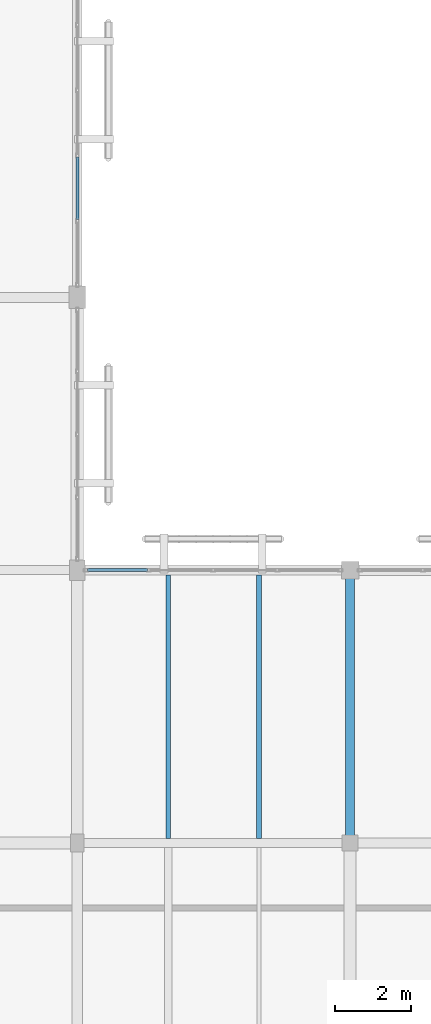
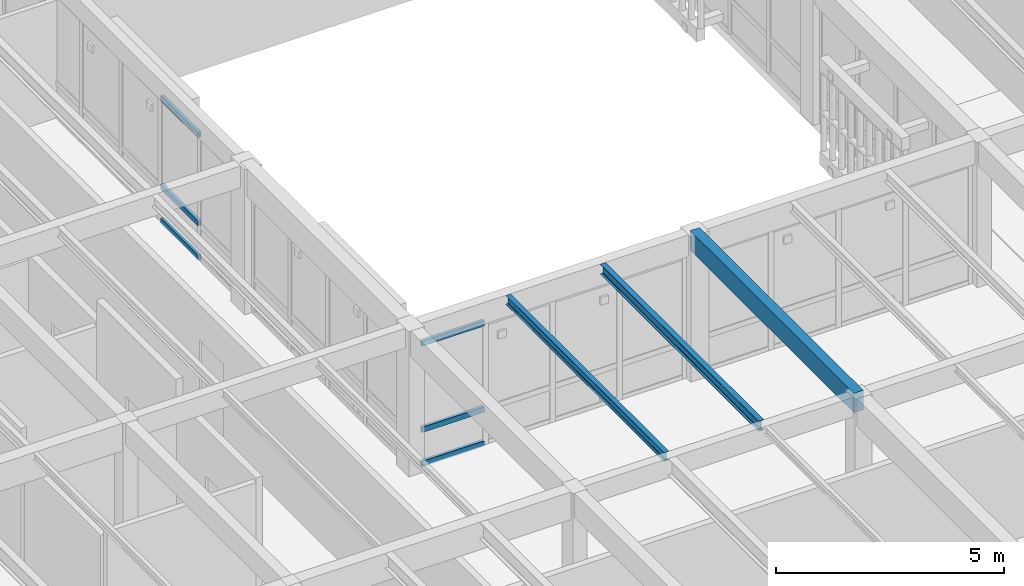
# One storey, part 26 of 217: 6 members, 3 beams, 2 elements without a shape of their own.
"""IFC4 building model written with IfcOpenShell, lengths in metres."""

from ifc_helpers import new_model, si_unit, direction, frame, origin, origin_2d, place, context, subcontext, project, spatial, rectangle, hollow_rectangle, i_section, extrude, material, layer, layer_set, material_profile, profile_set, type_object, element, aggregate, save


model = new_model("IFC4")

# Units and contexts
model_context = context("Model", 3, precision=1e-05, world=origin(), true_north=direction((0.0, 1.0)))
body_context = subcontext(model_context, "Body", "Model", "MODEL_VIEW")
ifc_project = project(units=[si_unit("LENGTHUNIT", "METRE"), si_unit("AREAUNIT", "SQUARE_METRE"), si_unit("VOLUMEUNIT", "CUBIC_METRE"), si_unit("PLANEANGLEUNIT", "RADIAN"), si_unit("MASSUNIT", "GRAM", prefix="KILO")], contexts=[model_context])

# Site, building, storey
site_placement = place(None, origin())
site = spatial("IfcSite", under=ifc_project, at=site_placement, CompositionType="ELEMENT")
building_placement = place(site_placement, origin())
building = spatial("IfcBuilding", under=site, at=building_placement, Name="Mazaris Harbour Polytechnic", CompositionType="ELEMENT")
storey_placement = place(building_placement, frame((0.0, 0.0, 9.60009765625)))
storey = spatial("IfcBuildingStorey", under=building, at=storey_placement, Name="L02", CompositionType="ELEMENT", Elevation=9.60009765625)

# Curtain wall, members
ifc_material_1 = material(Name="Anodised Bronze Aluminium and Low-E Glass", Category="aluminium")
ifc_layer = layer(ifc_material_1, 0.159912109375, Name="Anodised Bronze Aluminium and Low-E Glass")
ifc_layer_set = layer_set([ifc_layer], Name="Anodised Bronze Aluminium and Low-E Glass")
curtain_wall_type = type_object("IfcCurtainWallType", Name="Cloister Court Curtain Wall", PredefinedType="NOTDEFINED", material=ifc_layer_set)
curtain_wall_1_placement = place(storey_placement, origin())
curtain_wall_1 = element("IfcCurtainWall", 1, at=curtain_wall_1_placement, inside=storey, type_object=curtain_wall_type, Name="V4 L02 Curtain Wall 133", PredefinedType="NOTDEFINED")
ifc_material_2 = material(Name="Anodised Bronze Steel S355", Category="steel")
ifc_material_profile_1 = material_profile(ifc_material_2, hollow_rectangle(XDim=0.080078125, YDim=0.139892578125, WallThickness=0.00634765625, at=origin_2d()), Name="RHS 80x140x6.3")
ifc_profile_set_1 = profile_set([ifc_material_profile_1], Name="Anodised Bronze Steel S355")
member_type = type_object("IfcMemberType", Name="Curtain Transom RHS80x140", PredefinedType="USERDEFINED", material=ifc_profile_set_1)
member_1_placement = place(storey_placement, frame((14.672119140625, 36.0, 0.039794921875), z_axis=(1.0, 0.0, 0.0), x_axis=(0.0, 1.0, 0.0)))
member_1 = element("IfcMember", 2, at=member_1_placement, type_object=member_type, Name="CW-02 transom 1.1", ObjectType="TRANSOM", PredefinedType="USERDEFINED", context=body_context, shape_type="SweptSolid", body=[
    extrude(hollow_rectangle(XDim=0.080078125, YDim=0.139892578125, WallThickness=0.00634765625, at=origin_2d()), origin(), (0.0, 0.0, 1.0), 1.576416015625),
])
member_2_placement = place(storey_placement, frame((14.672119140625, 36.0, 0.949951171875), z_axis=(1.0, 0.0, 0.0), x_axis=(0.0, 1.0, 0.0)))
member_2 = element("IfcMember", 3, at=member_2_placement, type_object=member_type, Name="CW-02 transom 1.2", ObjectType="TRANSOM", PredefinedType="USERDEFINED", context=body_context, shape_type="SweptSolid", body=[
    extrude(hollow_rectangle(XDim=0.080078125, YDim=0.139892578125, WallThickness=0.00634765625, at=origin_2d()), origin(), (0.0, 0.0, 1.0), 1.576416015625),
])
member_3_placement = place(storey_placement, frame((14.672119140625, 36.0, 3.260009765625), z_axis=(1.0, 0.0, 0.0), x_axis=(0.0, 1.0, 0.0)))
member_3 = element("IfcMember", 4, at=member_3_placement, type_object=member_type, Name="CW-02 transom 1.3", ObjectType="TRANSOM", PredefinedType="USERDEFINED", context=body_context, shape_type="SweptSolid", body=[
    extrude(hollow_rectangle(XDim=0.080078125, YDim=0.139892578125, WallThickness=0.00634765625, at=origin_2d()), origin(), (0.0, 0.0, 1.0), 1.576416015625),
])
aggregate(curtain_wall_1, [member_1, member_2, member_3])

curtain_wall_2_placement = place(storey_placement, origin())
curtain_wall_2 = element("IfcCurtainWall", 5, at=curtain_wall_2_placement, inside=storey, type_object=curtain_wall_type, Name="V4 L02 Curtain Wall 138", PredefinedType="NOTDEFINED")
member_4_placement = place(storey_placement, frame((14.39990234375, 45.25634765625, 0.039794921875), z_axis=(0.0, 1.0, 0.0), x_axis=(-1.0, 0.0, 0.0)))
member_4 = element("IfcMember", 6, at=member_4_placement, type_object=member_type, Name="CW-02 transom 2.1", ObjectType="TRANSOM", PredefinedType="USERDEFINED", context=body_context, shape_type="SweptSolid", body=[
    extrude(hollow_rectangle(XDim=0.080078125, YDim=0.139892578125, WallThickness=0.00634765625, at=origin_2d()), origin(), (0.0, 0.0, 1.0), 1.644287109375),
])
member_5_placement = place(storey_placement, frame((14.39990234375, 45.25634765625, 0.949951171875), z_axis=(0.0, 1.0, 0.0), x_axis=(-1.0, 0.0, 0.0)))
member_5 = element("IfcMember", 7, at=member_5_placement, type_object=member_type, Name="CW-02 transom 2.2", ObjectType="TRANSOM", PredefinedType="USERDEFINED", context=body_context, shape_type="SweptSolid", body=[
    extrude(hollow_rectangle(XDim=0.080078125, YDim=0.139892578125, WallThickness=0.00634765625, at=origin_2d()), origin(), (0.0, 0.0, 1.0), 1.644287109375),
])
member_6_placement = place(storey_placement, frame((14.39990234375, 45.25634765625, 3.31982421875), z_axis=(0.0, 1.0, 0.0), x_axis=(-1.0, 0.0, 0.0)))
member_6 = element("IfcMember", 8, at=member_6_placement, type_object=member_type, Name="CW-02 transom 2.3", ObjectType="TRANSOM", PredefinedType="USERDEFINED", context=body_context, shape_type="SweptSolid", body=[
    extrude(hollow_rectangle(XDim=0.080078125, YDim=0.139892578125, WallThickness=0.00634765625, at=origin_2d()), origin(), (0.0, 0.0, 1.0), 1.644287109375),
])
aggregate(curtain_wall_2, [member_4, member_5, member_6])

# Beams
ifc_material_3 = material(Name="Glulam GL32h", Category="wood")
ifc_material_profile_2 = material_profile(ifc_material_3, rectangle(XDim=0.239990234375, YDim=0.52001953125, at=origin_2d()), Name="RECT240x520")
ifc_profile_set_2 = profile_set([ifc_material_profile_2], Name="Glulam GL32h")
beam_type_1 = type_object("IfcBeamType", Name="Glulam Girder 240x520", PredefinedType="BEAM", material=ifc_profile_set_2)
beam_1_placement = place(storey_placement, frame((21.60009765625, 28.800048828125, 3.6298828125), z_axis=(0.0, 1.0, 0.0), x_axis=(-1.0, 0.0, 0.0)))
element("IfcBeam", 9, at=beam_1_placement, inside=storey, type_object=beam_type_1, Name="V4 L02 Tie Girder 2005", PredefinedType="BEAM", context=body_context, shape_type="SweptSolid", body=[
    extrude(rectangle(XDim=0.239990234375, YDim=0.52001953125, at=origin_2d()), origin(), (0.0, 0.0, 1.0), 7.199951171875),
])
ifc_material_4 = material(Name="Steel S355", Category="steel")
ifc_material_profile_3 = material_profile(ifc_material_4, i_section(OverallWidth=0.1201171875, OverallDepth=0.239990234375, WebThickness=0.006103515625, FlangeThickness=0.009765625, FilletRadius=0.014892578125, at=origin_2d()), Name="IPE 240")
ifc_profile_set_3 = profile_set([ifc_material_profile_3], Name="Steel S355")
beam_type_2 = type_object("IfcBeamType", Name="Steel Joist IPE240", PredefinedType="JOIST", material=ifc_profile_set_3)
beam_2_placement = place(storey_placement, frame((16.800048828125, 28.919921875, 3.77001953125), z_axis=(0.0, 1.0, 0.0), x_axis=(-1.0, 0.0, 0.0)))
element("IfcBeam", 10, at=beam_2_placement, inside=storey, type_object=beam_type_2, Name="V4 L02 Floor Joist 2094", PredefinedType="JOIST", context=body_context, shape_type="SweptSolid", body=[
    extrude(i_section(OverallWidth=0.1201171875, OverallDepth=0.239990234375, WebThickness=0.006103515625, FlangeThickness=0.009765625, FilletRadius=0.014892578125, at=origin_2d()), origin(), (0.0, 0.0, 1.0), 6.9501953125),
])
ifc_material_5 = material(Name="Steel S355", Category="steel")
ifc_material_profile_4 = material_profile(ifc_material_5, i_section(OverallWidth=0.135009765625, OverallDepth=0.27001953125, WebThickness=0.006591796875, FlangeThickness=0.01025390625, FilletRadius=0.014892578125, at=origin_2d()), Name="IPE 270")
ifc_profile_set_4 = profile_set([ifc_material_profile_4], Name="Steel S355")
beam_type_3 = type_object("IfcBeamType", Name="Steel Joist IPE270", PredefinedType="JOIST", material=ifc_profile_set_4)
beam_3_placement = place(storey_placement, frame((19.199951171875, 28.919921875, 3.7548828125), z_axis=(0.0, 1.0, 0.0), x_axis=(-1.0, 0.0, 0.0)))
element("IfcBeam", 11, at=beam_3_placement, inside=storey, type_object=beam_type_3, Name="V4 L02 Floor Joist 2095", PredefinedType="JOIST", context=body_context, shape_type="SweptSolid", body=[
    extrude(i_section(OverallWidth=0.135009765625, OverallDepth=0.27001953125, WebThickness=0.006591796875, FlangeThickness=0.01025390625, FilletRadius=0.014892578125, at=origin_2d()), origin(), (0.0, 0.0, 1.0), 6.9501953125),
])

save(model, "model.ifc")
